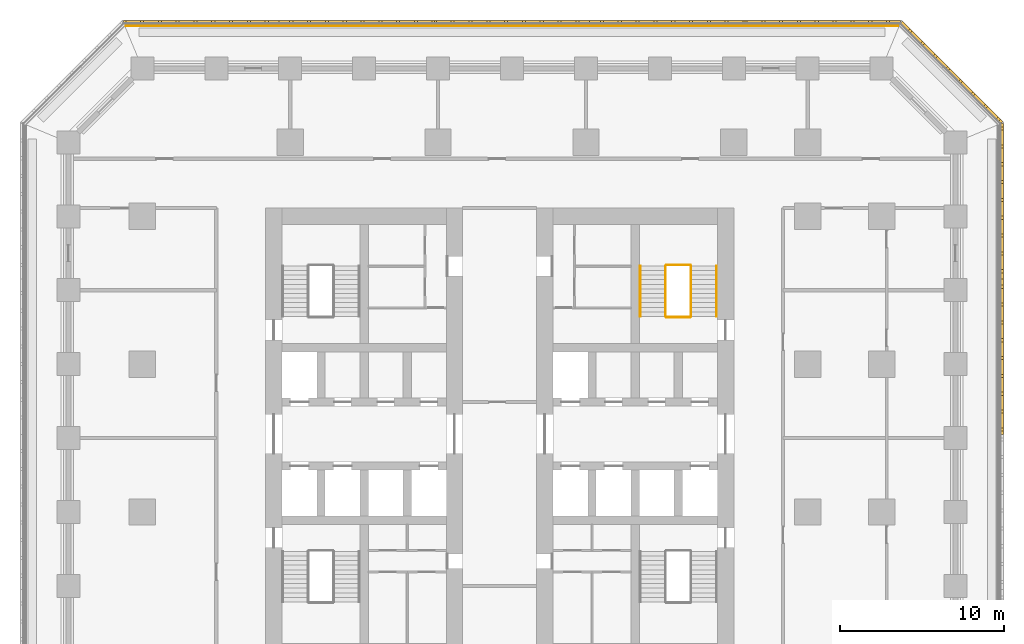
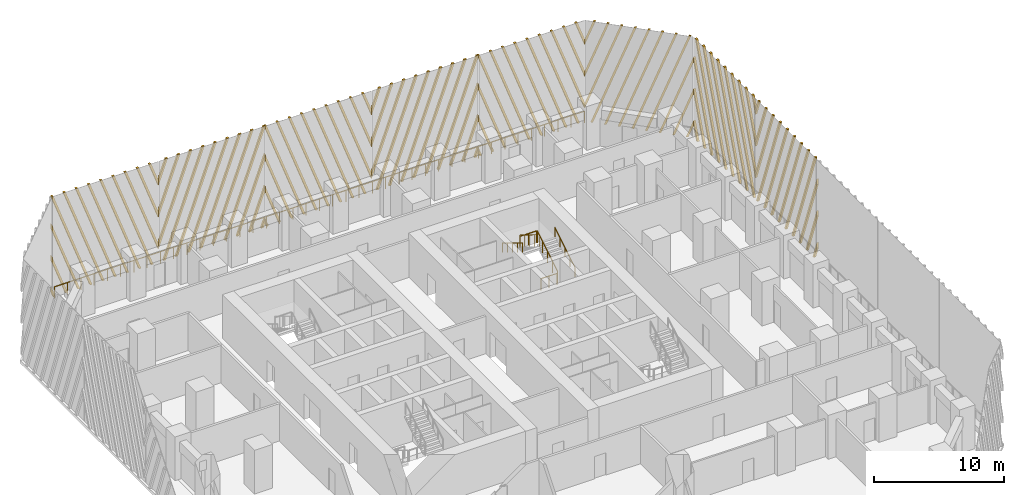
# One storey, part 11 of 13: 8 shading devices, 7 railings.
"""IFC4 building model written with IfcOpenShell, lengths in metres."""

import ifcopenshell
import ifcopenshell.guid

model = None  # the IFC model being written
_history = None  # IfcOwnerHistory: only IFC2X3 demands one
_inside = {}  # id of a spatial element -> (the spatial element, [elements in it])
_under = {}  # id of a project, library or spatial element -> (it, [spatial elements below it])
_declared = {}  # id of a project -> (the project, [libraries it declares])
_typed = {}  # id of a type object -> (the type object, [elements of that type])
_made_of = {}  # id of a material, layer set ... -> (it, [elements and type objects made of it])


def new_model(schema):
    """Start an empty IFC model of exactly this schema.

    Asked for "IFC4X3", IfcOpenShell would pick the latest addendum, in which some entities
    have other attributes; the version numbers below select the first issue.
    IFC2X3 requires an IfcOwnerHistory on every rooted entity: one is made here for all.
    """
    global model, _history
    if schema == "IFC4X3":
        model = ifcopenshell.file(schema_version=(4, 3, 0, 0))
    else:
        model = ifcopenshell.file(schema=schema)
    _inside.clear()
    _under.clear()
    _declared.clear()
    _typed.clear()
    _made_of.clear()
    _history = None
    if model.schema == "IFC2X3":
        org = make("IfcOrganization", Name="unknown")
        user = make(
            "IfcPersonAndOrganization",
            ThePerson=make("IfcPerson", FamilyName="unknown"),
            TheOrganization=org,
        )
        app = make(
            "IfcApplication",
            ApplicationDeveloper=org,
            Version="unknown",
            ApplicationFullName="unknown",
            ApplicationIdentifier="unknown",
        )
        _history = make(
            "IfcOwnerHistory",
            OwningUser=user,
            OwningApplication=app,
            ChangeAction="ADDED",
            CreationDate=0,
        )
    return model


def make(cls, **values):
    """One entity of the class cls with the attributes given. An attribute that is None is left unset."""
    return model.create_entity(
        cls, **{name: value for name, value in values.items() if value is not None}
    )


def rooted(cls, **values):
    """An entity with a GlobalId (a new one), such as an element, a storey or a relation."""
    return make(cls, GlobalId=ifcopenshell.guid.new(), OwnerHistory=_history, **values)


def si_unit(unit_type, name, prefix=None):
    """IfcSIUnit, for example si_unit("LENGTHUNIT", "METRE", prefix="MILLI")."""
    return make("IfcSIUnit", UnitType=unit_type, Prefix=prefix, Name=name)


def assignment(units):
    """IfcUnitAssignment: the units of a project."""
    return None if units is None else make("IfcUnitAssignment", Units=units)


def point(xyz):
    """IfcCartesianPoint."""
    return None if xyz is None else make("IfcCartesianPoint", Coordinates=xyz)


def direction(xyz):
    """IfcDirection."""
    return None if xyz is None else make("IfcDirection", DirectionRatios=xyz)


def frame(location, z_axis=None, x_axis=None):
    """IfcAxis2Placement3D, a coordinate frame: its origin and axes. An axis left out is left unset."""
    return make(
        "IfcAxis2Placement3D",
        Location=point(location),
        Axis=direction(z_axis),
        RefDirection=direction(x_axis),
    )


def frame_2d(location, x_axis=None):
    """IfcAxis2Placement2D, a coordinate frame in the plane: its origin and x axis."""
    return make(
        "IfcAxis2Placement2D", Location=point(location), RefDirection=direction(x_axis)
    )


def origin():
    """The frame at (0, 0, 0) with its axes left unset."""
    return frame((0.0, 0.0, 0.0))


def origin_2d():
    """The frame at (0, 0) in the plane with its x axis left unset."""
    return frame_2d((0.0, 0.0))


def place(relative_to, where):
    """IfcLocalPlacement: puts the frame where relative to a parent placement (None: the world)."""
    return make(
        "IfcLocalPlacement", PlacementRelTo=relative_to, RelativePlacement=where
    )


def context(
    kind, dimensions, precision=None, world=None, true_north=None, identifier=None
):
    """IfcGeometricRepresentationContext, for example the 3D "Model" context."""
    return make(
        "IfcGeometricRepresentationContext",
        ContextIdentifier=identifier,
        ContextType=kind,
        CoordinateSpaceDimension=dimensions,
        Precision=precision,
        WorldCoordinateSystem=world,
        TrueNorth=true_north,
    )


def subcontext(parent, identifier, kind, view, scale=None):
    """IfcGeometricRepresentationSubContext, for example "Body" below "Model"."""
    return make(
        "IfcGeometricRepresentationSubContext",
        ContextIdentifier=identifier,
        ContextType=kind,
        ParentContext=parent,
        TargetScale=scale,
        TargetView=view,
    )


def project(units=None, contexts=None):
    """IfcProject with its units and contexts."""
    return rooted(
        "IfcProject",
        Name="project",
        RepresentationContexts=contexts,
        UnitsInContext=assignment(units),
    )


def spatial(cls, under=None, at=None, **own):
    """A site, building, storey or space (cls), placed at a placement, below another one or the project."""
    s = rooted(cls, ObjectPlacement=at, **own)
    if under is not None:
        _under.setdefault(under.id(), (under, []))[1].append(s)
    return s


def polyline(points):
    """IfcPolyline through the points."""
    return make("IfcPolyline", Points=[point(p) for p in points])


def profile(cls, at=None, kind="AREA", **sizes):
    """A parametric profile (cls). Its sizes go by their IFC names, for example OverallWidth=200.0."""
    return make(cls, ProfileType=kind, Position=at, **sizes)


def circle(**sizes):
    """IfcCircleProfileDef."""
    return profile("IfcCircleProfileDef", **sizes)


def outline(outer, holes=None, kind="AREA"):
    """IfcArbitraryClosedProfileDef: a profile drawn as a closed curve; with holes, ...WithVoids."""
    if holes is None:
        return make("IfcArbitraryClosedProfileDef", ProfileType=kind, OuterCurve=outer)
    return make(
        "IfcArbitraryProfileDefWithVoids",
        ProfileType=kind,
        OuterCurve=outer,
        InnerCurves=holes,
    )


def extrude(swept, where, along, depth):
    """IfcExtrudedAreaSolid: the profile swept, set in the frame where, extruded along a direction by depth."""
    return make(
        "IfcExtrudedAreaSolid",
        SweptArea=swept,
        Position=where,
        ExtrudedDirection=direction(along),
        Depth=depth,
    )


def shape(context_of_items, identifier, shape_type, items):
    """IfcShapeRepresentation: the items that make up one representation, for example the "Body"."""
    return make(
        "IfcShapeRepresentation",
        ContextOfItems=context_of_items,
        RepresentationIdentifier=identifier,
        RepresentationType=shape_type,
        Items=items,
    )


def source(mapping_origin, context_of_items, identifier, shape_type, items):
    """IfcRepresentationMap: a shape defined once, which mapped items show again and again."""
    return make(
        "IfcRepresentationMap",
        MappingOrigin=mapping_origin,
        MappedRepresentation=shape(context_of_items, identifier, shape_type, items),
    )


def transform(
    local_origin,
    x_axis=None,
    y_axis=None,
    z_axis=None,
    scale=None,
    scale2=None,
    scale3=None,
    uniform=True,
):
    """IfcCartesianTransformationOperator3D, or its non-uniform kind. x_axis, y_axis, z_axis: its Axis1, 2, 3."""
    if uniform:
        return make(
            "IfcCartesianTransformationOperator3D",
            Axis1=direction(x_axis),
            Axis2=direction(y_axis),
            LocalOrigin=point(local_origin),
            Scale=scale,
            Axis3=direction(z_axis),
        )
    return make(
        "IfcCartesianTransformationOperator3DnonUniform",
        Axis1=direction(x_axis),
        Axis2=direction(y_axis),
        LocalOrigin=point(local_origin),
        Scale=scale,
        Axis3=direction(z_axis),
        Scale2=scale2,
        Scale3=scale3,
    )


def mapped(mapping_source, mapping_target):
    """IfcMappedItem: shows the shape of a source again, moved by a transform."""
    return make(
        "IfcMappedItem", MappingSource=mapping_source, MappingTarget=mapping_target
    )


def material(Name=None, Category=None):
    """IfcMaterial."""
    return make("IfcMaterial", Name=Name, Category=Category)


def made_of(thing, what):
    """Note that an element or type object is made of a material, layer set ...; save() writes the relation."""
    if what is not None:
        _made_of.setdefault(what.id(), (what, []))[1].append(thing)
    return thing


def type_object(cls, material=None, **own):
    """A type object (cls), such as IfcWallType, which elements share."""
    return made_of(rooted(cls, **own), material)


def element(
    cls,
    number,
    at=None,
    inside=None,
    cuts=None,
    type_object=None,
    material=None,
    context=None,
    identifier="Body",
    shape_type=None,
    held_by="IfcProductDefinitionShape",
    body=None,
    shapes=None,
    **own,
):
    """One element of the class cls, such as IfcWall. Its Tag is "e" and its number.

    at: its placement. inside: the storey or other place that contains it. cuts: it is an
    opening in that element (IfcRelVoidsElement). A single representation is given by context,
    identifier, shape_type and body (its items); several are given by shapes. held_by: the class
    of the entity that holds the representations. save() writes the other relations.
    """
    e = rooted(cls, Tag="e%d" % number, ObjectPlacement=at, **own)
    if body is not None:
        shapes = [shape(context, identifier, shape_type, body)]
    if shapes is not None:
        e.Representation = make(held_by, Representations=shapes)
    if inside is not None:
        _inside.setdefault(inside.id(), (inside, []))[1].append(e)
    if cuts is not None:
        rooted(
            "IfcRelVoidsElement", RelatingBuildingElement=cuts, RelatedOpeningElement=e
        )
    if type_object is not None:
        _typed.setdefault(type_object.id(), (type_object, []))[1].append(e)
    return made_of(e, material)


def aggregate(whole, parts):
    """IfcRelAggregates: a whole, such as a stair, and the parts it consists of."""
    return rooted("IfcRelAggregates", RelatingObject=whole, RelatedObjects=parts)


def save(model, path):
    """Write the relations noted so far, then the file.

    IfcRelAggregates (storeys below a building ...), IfcRelContainedInSpatialStructure (elements
    in a storey), IfcRelDefinesByType, IfcRelAssociatesMaterial and IfcRelDeclares: one each for
    every whole, place, type object, material and project.
    """
    for whole, parts in _under.values():
        aggregate(whole, parts)
    for where, things in _inside.values():
        rooted(
            "IfcRelContainedInSpatialStructure",
            RelatedElements=things,
            RelatingStructure=where,
        )
    for kind, things in _typed.values():
        rooted("IfcRelDefinesByType", RelatedObjects=things, RelatingType=kind)
    for what, things in _made_of.values():
        rooted("IfcRelAssociatesMaterial", RelatedObjects=things, RelatingMaterial=what)
    for by, libraries in _declared.values():
        rooted("IfcRelDeclares", RelatingContext=by, RelatedDefinitions=libraries)
    model.write(path)


model = new_model("IFC4")

# Units and contexts
model_context = context("Model", 3, precision=1e-05, world=origin(), true_north=direction((0.0, 1.0)))
body_context = subcontext(model_context, "Body", "Model", "MODEL_VIEW")
ifc_project = project(units=[si_unit("LENGTHUNIT", "METRE"), si_unit("AREAUNIT", "SQUARE_METRE"), si_unit("VOLUMEUNIT", "CUBIC_METRE"), si_unit("PLANEANGLEUNIT", "RADIAN"), si_unit("MASSUNIT", "GRAM", prefix="KILO")], contexts=[model_context])

# Site, building, storey
site_placement = place(None, origin())
site = spatial("IfcSite", under=ifc_project, at=site_placement, CompositionType="ELEMENT")
building_placement = place(site_placement, origin())
building = spatial("IfcBuilding", under=site, at=building_placement, Name="Corbel Stack Research Tower", CompositionType="ELEMENT")
storey_placement = place(building_placement, frame((0.0, 0.0, 66.5)))
storey = spatial("IfcBuildingStorey", under=building, at=storey_placement, Name="L15", CompositionType="ELEMENT", Elevation=66.5)

# Railings
ifc_material_1 = material(Name="Steel S355", Category="steel")
railing_type_1 = type_object("IfcRailingType", Name="Stair guard 1100", PredefinedType="GUARDRAIL", material=ifc_material_1)
railing_1_placement = place(storey_placement, frame((15.39990234375, 11.89990234375, 0.1708984375)))
element("IfcRailing", 1, at=railing_1_placement, inside=storey, type_object=railing_type_1, Name="L15 ST-E2 stair guard 1", PredefinedType="GUARDRAIL", context=body_context, shape_type="SweptSolid", body=[
    extrude(circle(Radius=0.02392578125, at=origin_2d()), frame((0.0, 0.0, 1.076171875), z_axis=(0.0, 0.853666305674, 0.52082035152), x_axis=(-1.0, 0.0, 0.0)), (0.0, 0.0, 1.0), 3.608154296875),
    extrude(circle(Radius=0.02099609375, at=origin_2d()), origin(), (0.0, 0.0, 1.0), 1.052001953125),
    extrude(circle(Radius=0.02099609375, at=origin_2d()), frame((0.0, 0.77001953125, 0.4697265625)), (0.0, 0.0, 1.0), 1.052001953125),
    extrude(circle(Radius=0.02099609375, at=origin_2d()), frame((0.0, 1.5400390625, 0.939453125)), (0.0, 0.0, 1.0), 1.052001953125),
    extrude(circle(Radius=0.02099609375, at=origin_2d()), frame((0.0, 2.31005859375, 1.409423828125)), (0.0, 0.0, 1.0), 1.052001953125),
    extrude(circle(Radius=0.02099609375, at=origin_2d()), frame((0.0, 3.080078125, 1.879150390625)), (0.0, 0.0, 1.0), 1.052001953125),
])
railing_2_placement = place(storey_placement, frame((15.35009765625, 15.030029296875, 2.050048828125)))
element("IfcRailing", 2, at=railing_2_placement, inside=storey, type_object=railing_type_1, Name="L15 ST-E2 stair guard 2", PredefinedType="GUARDRAIL", context=body_context, shape_type="SweptSolid", body=[
    extrude(circle(Radius=0.02392578125, at=origin_2d()), frame((0.0, 0.0, 1.076171875), z_axis=(-1.0, 0.0, 0.0), x_axis=(0.0, -1.0, 0.0)), (0.0, 0.0, 1.0), 1.4501953125),
    extrude(circle(Radius=0.02099609375, at=origin_2d()), origin(), (0.0, 0.0, 1.0), 1.052001953125),
    extrude(circle(Radius=0.02099609375, at=origin_2d()), frame((-0.72509765625, 0.0, 0.0)), (0.0, 0.0, 1.0), 1.052001953125),
    extrude(circle(Radius=0.02099609375, at=origin_2d()), frame((-1.4501953125, 0.0, 0.0)), (0.0, 0.0, 1.0), 1.052001953125),
])
railing_3_placement = place(storey_placement, frame((13.85009765625, 14.97998046875, 2.220947265625)))
element("IfcRailing", 3, at=railing_3_placement, inside=storey, type_object=railing_type_1, Name="L15 ST-E2 stair guard 3", PredefinedType="GUARDRAIL", context=body_context, shape_type="SweptSolid", body=[
    extrude(circle(Radius=0.02392578125, at=origin_2d()), frame((0.0, 0.0, 1.076171875), z_axis=(0.0, -0.853666305674, 0.52082035152), x_axis=(1.0, 0.0, 0.0)), (0.0, 0.0, 1.0), 3.608154296875),
    extrude(circle(Radius=0.02099609375, at=origin_2d()), origin(), (0.0, 0.0, 1.0), 1.052001953125),
    extrude(circle(Radius=0.02099609375, at=origin_2d()), frame((0.0, -0.77001953125, 0.4697265625)), (0.0, 0.0, 1.0), 1.052001953125),
    extrude(circle(Radius=0.02099609375, at=origin_2d()), frame((0.0, -1.5400390625, 0.939453125)), (0.0, 0.0, 1.0), 1.052001953125),
    extrude(circle(Radius=0.02099609375, at=origin_2d()), frame((0.0, -2.31005859375, 1.409423828125)), (0.0, 0.0, 1.0), 1.052001953125),
    extrude(circle(Radius=0.02099609375, at=origin_2d()), frame((0.0, -3.080078125, 1.879150390625)), (0.0, 0.0, 1.0), 1.052001953125),
])
railing_4_placement = place(storey_placement, frame((15.35009765625, 11.85009765625, 0.0)))
element("IfcRailing", 4, at=railing_4_placement, inside=storey, type_object=railing_type_1, Name="L15 ST-E2 stair guard 4", PredefinedType="GUARDRAIL", context=body_context, shape_type="SweptSolid", body=[
    extrude(circle(Radius=0.02392578125, at=origin_2d()), frame((0.0, 0.0, 1.076171875), z_axis=(-1.0, 0.0, 0.0), x_axis=(0.0, -1.0, 0.0)), (0.0, 0.0, 1.0), 1.4501953125),
    extrude(circle(Radius=0.02099609375, at=origin_2d()), origin(), (0.0, 0.0, 1.0), 1.052001953125),
    extrude(circle(Radius=0.02099609375, at=origin_2d()), frame((-0.72509765625, 0.0, 0.0)), (0.0, 0.0, 1.0), 1.052001953125),
    extrude(circle(Radius=0.02099609375, at=origin_2d()), frame((-1.4501953125, 0.0, 0.0)), (0.0, 0.0, 1.0), 1.052001953125),
])
ifc_material_2 = material(Name="Steel S355", Category="steel")
railing_type_2 = type_object("IfcRailingType", Name="Stair handrail 900", PredefinedType="HANDRAIL", material=ifc_material_2)
railing_5_placement = place(storey_placement, frame((16.949951171875, 11.89990234375, 0.1708984375)))
element("IfcRailing", 5, at=railing_5_placement, inside=storey, type_object=railing_type_2, Name="L15 ST-E2 stair handrail 1", PredefinedType="HANDRAIL", context=body_context, shape_type="SweptSolid", body=[
    extrude(circle(Radius=0.02392578125, at=origin_2d()), frame((0.0, 0.0, 0.8759765625), z_axis=(0.0, 0.853666305674, 0.52082035152), x_axis=(-1.0, 0.0, 0.0)), (0.0, 0.0, 1.0), 3.608154296875),
    extrude(circle(Radius=0.02099609375, at=origin_2d()), origin(), (0.0, 0.0, 1.0), 0.851806640625),
    extrude(circle(Radius=0.02099609375, at=origin_2d()), frame((0.0, 0.77001953125, 0.4697265625)), (0.0, 0.0, 1.0), 0.851806640625),
    extrude(circle(Radius=0.02099609375, at=origin_2d()), frame((0.0, 1.5400390625, 0.939453125)), (0.0, 0.0, 1.0), 0.851806640625),
    extrude(circle(Radius=0.02099609375, at=origin_2d()), frame((0.0, 2.31005859375, 1.409423828125)), (0.0, 0.0, 1.0), 0.851806640625),
    extrude(circle(Radius=0.02099609375, at=origin_2d()), frame((0.0, 3.080078125, 1.879150390625)), (0.0, 0.0, 1.0), 0.851806640625),
])
railing_6_placement = place(storey_placement, frame((12.300048828125, 14.97998046875, 2.220947265625)))
element("IfcRailing", 6, at=railing_6_placement, inside=storey, type_object=railing_type_2, Name="L15 ST-E2 stair handrail 2", PredefinedType="HANDRAIL", context=body_context, shape_type="SweptSolid", body=[
    extrude(circle(Radius=0.02392578125, at=origin_2d()), frame((0.0, 0.0, 0.8759765625), z_axis=(0.0, -0.853666305674, 0.52082035152), x_axis=(1.0, 0.0, 0.0)), (0.0, 0.0, 1.0), 3.608154296875),
    extrude(circle(Radius=0.02099609375, at=origin_2d()), origin(), (0.0, 0.0, 1.0), 0.851806640625),
    extrude(circle(Radius=0.02099609375, at=origin_2d()), frame((0.0, -0.77001953125, 0.4697265625)), (0.0, 0.0, 1.0), 0.851806640625),
    extrude(circle(Radius=0.02099609375, at=origin_2d()), frame((0.0, -1.5400390625, 0.939453125)), (0.0, 0.0, 1.0), 0.851806640625),
    extrude(circle(Radius=0.02099609375, at=origin_2d()), frame((0.0, -2.31005859375, 1.409423828125)), (0.0, 0.0, 1.0), 0.851806640625),
    extrude(circle(Radius=0.02099609375, at=origin_2d()), frame((0.0, -3.080078125, 1.879150390625)), (0.0, 0.0, 1.0), 0.851806640625),
])
ifc_material_3 = material(Name="Powder-coated steel guard", Category="steel")
railing_type_3 = type_object("IfcRailingType", Name="Steel and glass guard 1100", PredefinedType="GUARDRAIL", material=ifc_material_3)
railing_7_placement = place(storey_placement, frame((28.00537109375, 29.60009765625, 0.0)))
element("IfcRailing", 7, at=railing_7_placement, inside=storey, type_object=railing_type_3, Name="Loggia guard L15 N", PredefinedType="GUARDRAIL", context=body_context, shape_type="SweptSolid", body=[
    extrude(circle(Radius=0.02392578125, at=origin_2d()), frame((0.0, 0.0, 1.076171875), z_axis=(-1.0, 0.0, 0.0), x_axis=(0.0, -1.0, 0.0)), (0.0, 0.0, 1.0), 47.0107421875),
    extrude(circle(Radius=0.02099609375, at=origin_2d()), origin(), (0.0, 0.0, 1.0), 1.052001953125),
    extrude(circle(Radius=0.02099609375, at=origin_2d()), frame((-1.17529296875, 0.0, 0.0)), (0.0, 0.0, 1.0), 1.052001953125),
    extrude(circle(Radius=0.02099609375, at=origin_2d()), frame((-2.3505859375, 0.0, 0.0)), (0.0, 0.0, 1.0), 1.052001953125),
    extrude(circle(Radius=0.02099609375, at=origin_2d()), frame((-3.52587890625, 0.0, 0.0)), (0.0, 0.0, 1.0), 1.052001953125),
    extrude(circle(Radius=0.02099609375, at=origin_2d()), frame((-4.701171875, 0.0, 0.0)), (0.0, 0.0, 1.0), 1.052001953125),
    extrude(circle(Radius=0.02099609375, at=origin_2d()), frame((-5.87646484375, 0.0, 0.0)), (0.0, 0.0, 1.0), 1.052001953125),
    extrude(circle(Radius=0.02099609375, at=origin_2d()), frame((-7.051513671875, 0.0, 0.0)), (0.0, 0.0, 1.0), 1.052001953125),
    extrude(circle(Radius=0.02099609375, at=origin_2d()), frame((-8.226806640625, 0.0, 0.0)), (0.0, 0.0, 1.0), 1.052001953125),
    extrude(circle(Radius=0.02099609375, at=origin_2d()), frame((-9.402099609375, 0.0, 0.0)), (0.0, 0.0, 1.0), 1.052001953125),
    extrude(circle(Radius=0.02099609375, at=origin_2d()), frame((-10.577392578125, 0.0, 0.0)), (0.0, 0.0, 1.0), 1.052001953125),
    extrude(circle(Radius=0.02099609375, at=origin_2d()), frame((-11.752685546875, 0.0, 0.0)), (0.0, 0.0, 1.0), 1.052001953125),
    extrude(circle(Radius=0.02099609375, at=origin_2d()), frame((-12.927978515625, 0.0, 0.0)), (0.0, 0.0, 1.0), 1.052001953125),
    extrude(circle(Radius=0.02099609375, at=origin_2d()), frame((-14.103271484375, 0.0, 0.0)), (0.0, 0.0, 1.0), 1.052001953125),
    extrude(circle(Radius=0.02099609375, at=origin_2d()), frame((-15.278564453125, 0.0, 0.0)), (0.0, 0.0, 1.0), 1.052001953125),
    extrude(circle(Radius=0.02099609375, at=origin_2d()), frame((-16.453857421875, 0.0, 0.0)), (0.0, 0.0, 1.0), 1.052001953125),
    extrude(circle(Radius=0.02099609375, at=origin_2d()), frame((-17.62890625, 0.0, 0.0)), (0.0, 0.0, 1.0), 1.052001953125),
    extrude(circle(Radius=0.02099609375, at=origin_2d()), frame((-18.80419921875, 0.0, 0.0)), (0.0, 0.0, 1.0), 1.052001953125),
    extrude(circle(Radius=0.02099609375, at=origin_2d()), frame((-19.9794921875, 0.0, 0.0)), (0.0, 0.0, 1.0), 1.052001953125),
    extrude(circle(Radius=0.02099609375, at=origin_2d()), frame((-21.15478515625, 0.0, 0.0)), (0.0, 0.0, 1.0), 1.052001953125),
    extrude(circle(Radius=0.02099609375, at=origin_2d()), frame((-22.330078125, 0.0, 0.0)), (0.0, 0.0, 1.0), 1.052001953125),
    extrude(circle(Radius=0.02099609375, at=origin_2d()), frame((-23.50537109375, 0.0, 0.0)), (0.0, 0.0, 1.0), 1.052001953125),
    extrude(circle(Radius=0.02099609375, at=origin_2d()), frame((-24.6806640625, 0.0, 0.0)), (0.0, 0.0, 1.0), 1.052001953125),
    extrude(circle(Radius=0.02099609375, at=origin_2d()), frame((-25.85595703125, 0.0, 0.0)), (0.0, 0.0, 1.0), 1.052001953125),
    extrude(circle(Radius=0.02099609375, at=origin_2d()), frame((-27.03125, 0.0, 0.0)), (0.0, 0.0, 1.0), 1.052001953125),
    extrude(circle(Radius=0.02099609375, at=origin_2d()), frame((-28.20654296875, 0.0, 0.0)), (0.0, 0.0, 1.0), 1.052001953125),
    extrude(circle(Radius=0.02099609375, at=origin_2d()), frame((-29.3818359375, 0.0, 0.0)), (0.0, 0.0, 1.0), 1.052001953125),
    extrude(circle(Radius=0.02099609375, at=origin_2d()), frame((-30.556884765625, 0.0, 0.0)), (0.0, 0.0, 1.0), 1.052001953125),
    extrude(circle(Radius=0.02099609375, at=origin_2d()), frame((-31.732177734375, 0.0, 0.0)), (0.0, 0.0, 1.0), 1.052001953125),
    extrude(circle(Radius=0.02099609375, at=origin_2d()), frame((-32.907470703125, 0.0, 0.0)), (0.0, 0.0, 1.0), 1.052001953125),
    extrude(circle(Radius=0.02099609375, at=origin_2d()), frame((-34.082763671875, 0.0, 0.0)), (0.0, 0.0, 1.0), 1.052001953125),
    extrude(circle(Radius=0.02099609375, at=origin_2d()), frame((-35.258056640625, 0.0, 0.0)), (0.0, 0.0, 1.0), 1.052001953125),
    extrude(circle(Radius=0.02099609375, at=origin_2d()), frame((-36.433349609375, 0.0, 0.0)), (0.0, 0.0, 1.0), 1.052001953125),
    extrude(circle(Radius=0.02099609375, at=origin_2d()), frame((-37.608642578125, 0.0, 0.0)), (0.0, 0.0, 1.0), 1.052001953125),
    extrude(circle(Radius=0.02099609375, at=origin_2d()), frame((-38.783935546875, 0.0, 0.0)), (0.0, 0.0, 1.0), 1.052001953125),
    extrude(circle(Radius=0.02099609375, at=origin_2d()), frame((-39.959228515625, 0.0, 0.0)), (0.0, 0.0, 1.0), 1.052001953125),
    extrude(circle(Radius=0.02099609375, at=origin_2d()), frame((-41.13427734375, 0.0, 0.0)), (0.0, 0.0, 1.0), 1.052001953125),
    extrude(circle(Radius=0.02099609375, at=origin_2d()), frame((-42.3095703125, 0.0, 0.0)), (0.0, 0.0, 1.0), 1.052001953125),
    extrude(circle(Radius=0.02099609375, at=origin_2d()), frame((-43.48486328125, 0.0, 0.0)), (0.0, 0.0, 1.0), 1.052001953125),
    extrude(circle(Radius=0.02099609375, at=origin_2d()), frame((-44.66015625, 0.0, 0.0)), (0.0, 0.0, 1.0), 1.052001953125),
    extrude(circle(Radius=0.02099609375, at=origin_2d()), frame((-45.83544921875, 0.0, 0.0)), (0.0, 0.0, 1.0), 1.052001953125),
    extrude(circle(Radius=0.02099609375, at=origin_2d()), frame((-47.0107421875, 0.0, 0.0)), (0.0, 0.0, 1.0), 1.052001953125),
])

# Shading devices
ifc_material_4 = material(Name="Precast terracotta", Category="masonry")
shading_device_type = type_object("IfcShadingDeviceType", Name="Terracotta screen panel", PredefinedType="USERDEFINED", material=ifc_material_4)
shared_shape_1 = source(origin(), body_context, "Body", "SweptSolid", [
    extrude(outline(polyline([(0.56982421875, 9.5), (0.3798828125, 9.5), (0.0, 8.456298828125), (0.0, 7.93408203125), (0.56982421875, 9.5)])), frame((0.0, 0.0, 0.0), z_axis=(0.0, -1.0, 0.0), x_axis=(1.0, 0.0, 0.0)), (0.0, 0.0, 1.0), 0.179931640625),
    extrude(outline(polyline([(1.654541015625, 9.5), (1.464599609375, 9.5), (0.0, 5.476318359375), (0.0, 4.9541015625), (1.654541015625, 9.5)])), frame((0.0, 0.0, 0.0), z_axis=(0.0, -1.0, 0.0), x_axis=(1.0, 0.0, 0.0)), (0.0, 0.0, 1.0), 0.179931640625),
    extrude(outline(polyline([(2.7392578125, 9.5), (2.54931640625, 9.5), (0.0, 2.49609375), (0.0, 1.97412109375), (2.7392578125, 9.5)])), frame((0.0, 0.0, 0.0), z_axis=(0.0, -1.0, 0.0), x_axis=(1.0, 0.0, 0.0)), (0.0, 0.0, 1.0), 0.179931640625),
    extrude(outline(polyline([(0.3662109375, 0.0), (3.823974609375, 9.5), (3.6337890625, 9.5), (0.17626953125, 0.0), (0.3662109375, 0.0)])), frame((0.0, 0.0, 0.0), z_axis=(0.0, -1.0, 0.0), x_axis=(1.0, 0.0, 0.0)), (0.0, 0.0, 1.0), 0.179931640625),
    extrude(outline(polyline([(1.45068359375, 0.0), (4.908447265625, 9.5), (4.718505859375, 9.5), (1.2607421875, 0.0), (1.45068359375, 0.0)])), frame((0.0, 0.0, 0.0), z_axis=(0.0, -1.0, 0.0), x_axis=(1.0, 0.0, 0.0)), (0.0, 0.0, 1.0), 0.179931640625),
    extrude(outline(polyline([(2.535400390625, 0.0), (5.9931640625, 9.5), (5.80322265625, 9.5), (2.345458984375, 0.0), (2.535400390625, 0.0)])), frame((0.0, 0.0, 0.0), z_axis=(0.0, -1.0, 0.0), x_axis=(1.0, 0.0, 0.0)), (0.0, 0.0, 1.0), 0.179931640625),
    extrude(outline(polyline([(3.6201171875, 0.0), (7.077880859375, 9.5), (6.887939453125, 9.5), (3.43017578125, 0.0), (3.6201171875, 0.0)])), frame((0.0, 0.0, 0.0), z_axis=(0.0, -1.0, 0.0), x_axis=(1.0, 0.0, 0.0)), (0.0, 0.0, 1.0), 0.179931640625),
    extrude(outline(polyline([(4.704833984375, 0.0), (8.16259765625, 9.5), (7.972412109375, 9.5), (4.514892578125, 0.0), (4.704833984375, 0.0)])), frame((0.0, 0.0, 0.0), z_axis=(0.0, -1.0, 0.0), x_axis=(1.0, 0.0, 0.0)), (0.0, 0.0, 1.0), 0.179931640625),
    extrude(outline(polyline([(5.78955078125, 0.0), (9.247314453125, 9.5), (9.05712890625, 9.5), (5.599609375, 0.0), (5.78955078125, 0.0)])), frame((0.0, 0.0, 0.0), z_axis=(0.0, -1.0, 0.0), x_axis=(1.0, 0.0, 0.0)), (0.0, 0.0, 1.0), 0.179931640625),
    extrude(outline(polyline([(6.874267578125, 0.0), (9.45556640625, 7.092529296875), (9.45556640625, 7.614501953125), (6.68408203125, 0.0), (6.874267578125, 0.0)])), frame((0.0, 0.0, 0.0), z_axis=(0.0, -1.0, 0.0), x_axis=(1.0, 0.0, 0.0)), (0.0, 0.0, 1.0), 0.179931640625),
    extrude(outline(polyline([(7.958740234375, 0.0), (9.45556640625, 4.1123046875), (9.45556640625, 4.634521484375), (7.768798828125, 0.0), (7.958740234375, 0.0)])), frame((0.0, 0.0, 0.0), z_axis=(0.0, -1.0, 0.0), x_axis=(1.0, 0.0, 0.0)), (0.0, 0.0, 1.0), 0.179931640625),
    extrude(outline(polyline([(9.04345703125, 0.0), (9.45556640625, 1.13232421875), (9.45556640625, 1.654296875), (8.853515625, 0.0), (9.04345703125, 0.0)])), frame((0.0, 0.0, 0.0), z_axis=(0.0, -1.0, 0.0), x_axis=(1.0, 0.0, 0.0)), (0.0, 0.0, 1.0), 0.179931640625),
])
shading_device_1_placement = place(storey_placement, frame((34.25, 14.18359375, 0.0), z_axis=(0.0, 0.0, 1.0), x_axis=(0.0, 1.0, 0.0)))
element("IfcShadingDevice", 8, at=shading_device_1_placement, inside=storey, type_object=shading_device_type, Name="Terracotta screen L15 E5", ObjectType="SCREEN", PredefinedType="USERDEFINED", context=body_context, shape_type="MappedRepresentation", body=[
    mapped(shared_shape_1, transform((0.0, 0.0, 0.0))),
])
shared_shape_2 = source(origin(), body_context, "Body", "SweptSolid", [
    extrude(outline(polyline([(0.60205078125, 0.0), (0.0, 1.654296875), (0.0, 1.13232421875), (0.412109375, 0.0), (0.60205078125, 0.0)])), frame((0.0, 0.0, 0.0), z_axis=(0.0, -1.0, 0.0), x_axis=(1.0, 0.0, 0.0)), (0.0, 0.0, 1.0), 0.179931640625),
    extrude(outline(polyline([(1.686767578125, 0.0), (0.0, 4.634521484375), (0.0, 4.1123046875), (1.496826171875, 0.0), (1.686767578125, 0.0)])), frame((0.0, 0.0, 0.0), z_axis=(0.0, -1.0, 0.0), x_axis=(1.0, 0.0, 0.0)), (0.0, 0.0, 1.0), 0.179931640625),
    extrude(outline(polyline([(2.771484375, 0.0), (0.0, 7.614501953125), (0.0, 7.092529296875), (2.58154296875, 0.0), (2.771484375, 0.0)])), frame((0.0, 0.0, 0.0), z_axis=(0.0, -1.0, 0.0), x_axis=(1.0, 0.0, 0.0)), (0.0, 0.0, 1.0), 0.179931640625),
    extrude(outline(polyline([(3.856201171875, 0.0), (0.3984375, 9.5), (0.20849609375, 9.5), (3.666015625, 0.0), (3.856201171875, 0.0)])), frame((0.0, 0.0, 0.0), z_axis=(0.0, -1.0, 0.0), x_axis=(1.0, 0.0, 0.0)), (0.0, 0.0, 1.0), 0.179931640625),
    extrude(outline(polyline([(4.94091796875, 0.0), (1.483154296875, 9.5), (1.293212890625, 9.5), (4.750732421875, 0.0), (4.94091796875, 0.0)])), frame((0.0, 0.0, 0.0), z_axis=(0.0, -1.0, 0.0), x_axis=(1.0, 0.0, 0.0)), (0.0, 0.0, 1.0), 0.179931640625),
    extrude(outline(polyline([(6.025390625, 0.0), (2.56787109375, 9.5), (2.377685546875, 9.5), (5.83544921875, 0.0), (6.025390625, 0.0)])), frame((0.0, 0.0, 0.0), z_axis=(0.0, -1.0, 0.0), x_axis=(1.0, 0.0, 0.0)), (0.0, 0.0, 1.0), 0.179931640625),
    extrude(outline(polyline([(7.110107421875, 0.0), (3.65234375, 9.5), (3.46240234375, 9.5), (6.920166015625, 0.0), (7.110107421875, 0.0)])), frame((0.0, 0.0, 0.0), z_axis=(0.0, -1.0, 0.0), x_axis=(1.0, 0.0, 0.0)), (0.0, 0.0, 1.0), 0.179931640625),
    extrude(outline(polyline([(8.19482421875, 0.0), (4.737060546875, 9.5), (4.547119140625, 9.5), (8.0048828125, 0.0), (8.19482421875, 0.0)])), frame((0.0, 0.0, 0.0), z_axis=(0.0, -1.0, 0.0), x_axis=(1.0, 0.0, 0.0)), (0.0, 0.0, 1.0), 0.179931640625),
    extrude(outline(polyline([(9.279541015625, 0.0), (5.82177734375, 9.5), (5.6318359375, 9.5), (9.089599609375, 0.0), (9.279541015625, 0.0)])), frame((0.0, 0.0, 0.0), z_axis=(0.0, -1.0, 0.0), x_axis=(1.0, 0.0, 0.0)), (0.0, 0.0, 1.0), 0.179931640625),
    extrude(outline(polyline([(6.906494140625, 9.5), (6.71630859375, 9.5), (9.45556640625, 1.97412109375), (9.45556640625, 2.49609375), (6.906494140625, 9.5)])), frame((0.0, 0.0, 0.0), z_axis=(0.0, -1.0, 0.0), x_axis=(1.0, 0.0, 0.0)), (0.0, 0.0, 1.0), 0.179931640625),
    extrude(outline(polyline([(7.9912109375, 9.5), (7.801025390625, 9.5), (9.45556640625, 4.9541015625), (9.45556640625, 5.476318359375), (7.9912109375, 9.5)])), frame((0.0, 0.0, 0.0), z_axis=(0.0, -1.0, 0.0), x_axis=(1.0, 0.0, 0.0)), (0.0, 0.0, 1.0), 0.179931640625),
    extrude(outline(polyline([(9.07568359375, 9.5), (8.8857421875, 9.5), (9.45556640625, 7.93408203125), (9.45556640625, 8.456298828125), (9.07568359375, 9.5)])), frame((0.0, 0.0, 0.0), z_axis=(0.0, -1.0, 0.0), x_axis=(1.0, 0.0, 0.0)), (0.0, 0.0, 1.0), 0.179931640625),
])
shading_device_2_placement = place(storey_placement, frame((34.25, 4.727783203125, 0.0), z_axis=(0.0, 0.0, 1.0), x_axis=(0.0, 1.0, 0.0)))
element("IfcShadingDevice", 9, at=shading_device_2_placement, inside=storey, type_object=shading_device_type, Name="Terracotta screen L15 E4", ObjectType="SCREEN", PredefinedType="USERDEFINED", context=body_context, shape_type="MappedRepresentation", body=[
    mapped(shared_shape_2, transform((0.0, 0.0, 0.0))),
])
shared_shape_3 = source(origin(), body_context, "Body", "SweptSolid", [
    extrude(outline(polyline([(0.60205078125, 0.0), (0.0, 1.654296875), (0.0, 1.13232421875), (0.412109375, 0.0), (0.60205078125, 0.0)])), frame((0.0, 0.0, 0.0), z_axis=(0.0, -1.0, 0.0), x_axis=(1.0, 0.0, 0.0)), (0.0, 0.0, 1.0), 0.179931640625),
    extrude(outline(polyline([(1.686767578125, 0.0), (0.0, 4.634521484375), (0.0, 4.1123046875), (1.496826171875, 0.0), (1.686767578125, 0.0)])), frame((0.0, 0.0, 0.0), z_axis=(0.0, -1.0, 0.0), x_axis=(1.0, 0.0, 0.0)), (0.0, 0.0, 1.0), 0.179931640625),
    extrude(outline(polyline([(2.771484375, 0.0), (0.0, 7.614501953125), (0.0, 7.092529296875), (2.58154296875, 0.0), (2.771484375, 0.0)])), frame((0.0, 0.0, 0.0), z_axis=(0.0, -1.0, 0.0), x_axis=(1.0, 0.0, 0.0)), (0.0, 0.0, 1.0), 0.179931640625),
    extrude(outline(polyline([(3.856201171875, 0.0), (0.3984375, 9.5), (0.20849609375, 9.5), (3.666015625, 0.0), (3.856201171875, 0.0)])), frame((0.0, 0.0, 0.0), z_axis=(0.0, -1.0, 0.0), x_axis=(1.0, 0.0, 0.0)), (0.0, 0.0, 1.0), 0.179931640625),
    extrude(outline(polyline([(4.94091796875, 0.0), (1.483154296875, 9.5), (1.293212890625, 9.5), (4.750732421875, 0.0), (4.94091796875, 0.0)])), frame((0.0, 0.0, 0.0), z_axis=(0.0, -1.0, 0.0), x_axis=(1.0, 0.0, 0.0)), (0.0, 0.0, 1.0), 0.179931640625),
    extrude(outline(polyline([(6.025390625, 0.0), (2.56787109375, 9.5), (2.377685546875, 9.5), (5.83544921875, 0.0), (6.025390625, 0.0)])), frame((0.0, 0.0, 0.0), z_axis=(0.0, -1.0, 0.0), x_axis=(1.0, 0.0, 0.0)), (0.0, 0.0, 1.0), 0.179931640625),
    extrude(outline(polyline([(7.110107421875, 0.0), (3.65234375, 9.5), (3.46240234375, 9.5), (6.920166015625, 0.0), (7.110107421875, 0.0)])), frame((0.0, 0.0, 0.0), z_axis=(0.0, -1.0, 0.0), x_axis=(1.0, 0.0, 0.0)), (0.0, 0.0, 1.0), 0.179931640625),
    extrude(outline(polyline([(8.19482421875, 0.0), (4.737060546875, 9.5), (4.547119140625, 9.5), (8.0048828125, 0.0), (8.19482421875, 0.0)])), frame((0.0, 0.0, 0.0), z_axis=(0.0, -1.0, 0.0), x_axis=(1.0, 0.0, 0.0)), (0.0, 0.0, 1.0), 0.179931640625),
    extrude(outline(polyline([(5.82177734375, 9.5), (5.6318359375, 9.5), (8.64208984375, 1.22900390625), (8.64208984375, 1.751220703125), (5.82177734375, 9.5)])), frame((0.0, 0.0, 0.0), z_axis=(0.0, -1.0, 0.0), x_axis=(1.0, 0.0, 0.0)), (0.0, 0.0, 1.0), 0.179931640625),
    extrude(outline(polyline([(6.906494140625, 9.5), (6.71630859375, 9.5), (8.64208984375, 4.208984375), (8.64208984375, 4.731201171875), (6.906494140625, 9.5)])), frame((0.0, 0.0, 0.0), z_axis=(0.0, -1.0, 0.0), x_axis=(1.0, 0.0, 0.0)), (0.0, 0.0, 1.0), 0.179931640625),
    extrude(outline(polyline([(7.9912109375, 9.5), (7.801025390625, 9.5), (8.64208984375, 7.189208984375), (8.64208984375, 7.711181640625), (7.9912109375, 9.5)])), frame((0.0, 0.0, 0.0), z_axis=(0.0, -1.0, 0.0), x_axis=(1.0, 0.0, 0.0)), (0.0, 0.0, 1.0), 0.179931640625),
])
shading_device_3_placement = place(storey_placement, frame((34.25, 23.63916015625, 0.0), z_axis=(0.0, 0.0, 1.0), x_axis=(-0.707106781187, 0.707106781187, 0.0)))
element("IfcShadingDevice", 10, at=shading_device_3_placement, inside=storey, type_object=shading_device_type, Name="Terracotta screen L15 NE1", ObjectType="SCREEN", PredefinedType="USERDEFINED", context=body_context, shape_type="MappedRepresentation", body=[
    mapped(shared_shape_3, transform((0.0, 0.0, 0.0))),
])
shared_shape_4 = source(origin(), body_context, "Body", "SweptSolid", [
    extrude(outline(polyline([(0.841064453125, 9.5), (0.651123046875, 9.5), (0.0, 7.711181640625), (0.0, 7.189208984375), (0.841064453125, 9.5)])), frame((0.0, 0.0, 0.0), z_axis=(0.0, -1.0, 0.0), x_axis=(1.0, 0.0, 0.0)), (0.0, 0.0, 1.0), 0.179931640625),
    extrude(outline(polyline([(1.92578125, 9.5), (1.735595703125, 9.5), (0.0, 4.731201171875), (0.0, 4.208984375), (1.92578125, 9.5)])), frame((0.0, 0.0, 0.0), z_axis=(0.0, -1.0, 0.0), x_axis=(1.0, 0.0, 0.0)), (0.0, 0.0, 1.0), 0.179931640625),
    extrude(outline(polyline([(3.010498046875, 9.5), (2.8203125, 9.5), (0.0, 1.751220703125), (0.0, 1.22900390625), (3.010498046875, 9.5)])), frame((0.0, 0.0, 0.0), z_axis=(0.0, -1.0, 0.0), x_axis=(1.0, 0.0, 0.0)), (0.0, 0.0, 1.0), 0.179931640625),
    extrude(outline(polyline([(0.63720703125, 0.0), (4.09521484375, 9.5), (3.905029296875, 9.5), (0.447265625, 0.0), (0.63720703125, 0.0)])), frame((0.0, 0.0, 0.0), z_axis=(0.0, -1.0, 0.0), x_axis=(1.0, 0.0, 0.0)), (0.0, 0.0, 1.0), 0.179931640625),
    extrude(outline(polyline([(1.721923828125, 0.0), (5.1796875, 9.5), (4.98974609375, 9.5), (1.531982421875, 0.0), (1.721923828125, 0.0)])), frame((0.0, 0.0, 0.0), z_axis=(0.0, -1.0, 0.0), x_axis=(1.0, 0.0, 0.0)), (0.0, 0.0, 1.0), 0.179931640625),
    extrude(outline(polyline([(2.806640625, 0.0), (6.264404296875, 9.5), (6.074462890625, 9.5), (2.61669921875, 0.0), (2.806640625, 0.0)])), frame((0.0, 0.0, 0.0), z_axis=(0.0, -1.0, 0.0), x_axis=(1.0, 0.0, 0.0)), (0.0, 0.0, 1.0), 0.179931640625),
    extrude(outline(polyline([(3.891357421875, 0.0), (7.34912109375, 9.5), (7.158935546875, 9.5), (3.701416015625, 0.0), (3.891357421875, 0.0)])), frame((0.0, 0.0, 0.0), z_axis=(0.0, -1.0, 0.0), x_axis=(1.0, 0.0, 0.0)), (0.0, 0.0, 1.0), 0.179931640625),
    extrude(outline(polyline([(4.97607421875, 0.0), (8.43359375, 9.5), (8.24365234375, 9.5), (4.785888671875, 0.0), (4.97607421875, 0.0)])), frame((0.0, 0.0, 0.0), z_axis=(0.0, -1.0, 0.0), x_axis=(1.0, 0.0, 0.0)), (0.0, 0.0, 1.0), 0.179931640625),
    extrude(outline(polyline([(6.060791015625, 0.0), (9.45556640625, 9.32763671875), (9.45556640625, 9.5), (9.328369140625, 9.5), (5.87060546875, 0.0), (6.060791015625, 0.0)])), frame((0.0, 0.0, 0.0), z_axis=(0.0, -1.0, 0.0), x_axis=(1.0, 0.0, 0.0)), (0.0, 0.0, 1.0), 0.179931640625),
    extrude(outline(polyline([(7.145263671875, 0.0), (9.45556640625, 6.347412109375), (9.45556640625, 6.869384765625), (6.955322265625, 0.0), (7.145263671875, 0.0)])), frame((0.0, 0.0, 0.0), z_axis=(0.0, -1.0, 0.0), x_axis=(1.0, 0.0, 0.0)), (0.0, 0.0, 1.0), 0.179931640625),
    extrude(outline(polyline([(8.22998046875, 0.0), (9.45556640625, 3.367431640625), (9.45556640625, 3.889404296875), (8.0400390625, 0.0), (8.22998046875, 0.0)])), frame((0.0, 0.0, 0.0), z_axis=(0.0, -1.0, 0.0), x_axis=(1.0, 0.0, 0.0)), (0.0, 0.0, 1.0), 0.179931640625),
    extrude(outline(polyline([(9.314697265625, 0.0), (9.45556640625, 0.38720703125), (9.45556640625, 0.9091796875), (9.124755859375, 0.0), (9.314697265625, 0.0)])), frame((0.0, 0.0, 0.0), z_axis=(0.0, -1.0, 0.0), x_axis=(1.0, 0.0, 0.0)), (0.0, 0.0, 1.0), 0.179931640625),
])
for number, where, z_axis, x_axis, name in (
    (11, (28.13916015625, 29.75, 0.0), (0.0, 0.0, 1.0), (-1.0, 0.0, 0.0), "Terracotta screen L15 N1"),
    (12, (9.227783203125, 29.75, 0.0), (0.0, 0.0, 1.0), (-1.0, 0.0, 0.0), "Terracotta screen L15 N3"),
    (13, (-9.68359375, 29.75, 0.0), (0.0, 0.0, 1.0), (-1.0, 0.0, 0.0), "Terracotta screen L15 N5"),
):
    element("IfcShadingDevice", number, at=place(storey_placement, frame(where, z_axis=z_axis, x_axis=x_axis)), inside=storey, type_object=shading_device_type, Name=name, ObjectType="SCREEN", PredefinedType="USERDEFINED", context=body_context, shape_type="MappedRepresentation", body=[
        mapped(shared_shape_4, transform((0.0, 0.0, 0.0))),
    ])
shared_shape_5 = source(origin(), body_context, "Body", "SweptSolid", [
    extrude(outline(polyline([(0.3310546875, 0.0), (0.0, 0.9091796875), (0.0, 0.38720703125), (0.14111328125, 0.0), (0.3310546875, 0.0)])), frame((0.0, 0.0, 0.0), z_axis=(0.0, -1.0, 0.0), x_axis=(1.0, 0.0, 0.0)), (0.0, 0.0, 1.0), 0.179931640625),
    extrude(outline(polyline([(1.41552734375, 0.0), (0.0, 3.889404296875), (0.0, 3.367431640625), (1.2255859375, 0.0), (1.41552734375, 0.0)])), frame((0.0, 0.0, 0.0), z_axis=(0.0, -1.0, 0.0), x_axis=(1.0, 0.0, 0.0)), (0.0, 0.0, 1.0), 0.179931640625),
    extrude(outline(polyline([(2.500244140625, 0.0), (0.0, 6.869384765625), (0.0, 6.347412109375), (2.310302734375, 0.0), (2.500244140625, 0.0)])), frame((0.0, 0.0, 0.0), z_axis=(0.0, -1.0, 0.0), x_axis=(1.0, 0.0, 0.0)), (0.0, 0.0, 1.0), 0.179931640625),
    extrude(outline(polyline([(3.5849609375, 0.0), (0.127197265625, 9.5), (0.0, 9.5), (0.0, 9.32763671875), (3.39501953125, 0.0), (3.5849609375, 0.0)])), frame((0.0, 0.0, 0.0), z_axis=(0.0, -1.0, 0.0), x_axis=(1.0, 0.0, 0.0)), (0.0, 0.0, 1.0), 0.179931640625),
    extrude(outline(polyline([(4.669677734375, 0.0), (1.2119140625, 9.5), (1.02197265625, 9.5), (4.4794921875, 0.0), (4.669677734375, 0.0)])), frame((0.0, 0.0, 0.0), z_axis=(0.0, -1.0, 0.0), x_axis=(1.0, 0.0, 0.0)), (0.0, 0.0, 1.0), 0.179931640625),
    extrude(outline(polyline([(5.75439453125, 0.0), (2.296630859375, 9.5), (2.106689453125, 9.5), (5.564208984375, 0.0), (5.75439453125, 0.0)])), frame((0.0, 0.0, 0.0), z_axis=(0.0, -1.0, 0.0), x_axis=(1.0, 0.0, 0.0)), (0.0, 0.0, 1.0), 0.179931640625),
    extrude(outline(polyline([(6.839111328125, 0.0), (3.38134765625, 9.5), (3.19140625, 9.5), (6.64892578125, 0.0), (6.839111328125, 0.0)])), frame((0.0, 0.0, 0.0), z_axis=(0.0, -1.0, 0.0), x_axis=(1.0, 0.0, 0.0)), (0.0, 0.0, 1.0), 0.179931640625),
    extrude(outline(polyline([(7.923583984375, 0.0), (4.4658203125, 9.5), (4.27587890625, 9.5), (7.733642578125, 0.0), (7.923583984375, 0.0)])), frame((0.0, 0.0, 0.0), z_axis=(0.0, -1.0, 0.0), x_axis=(1.0, 0.0, 0.0)), (0.0, 0.0, 1.0), 0.179931640625),
    extrude(outline(polyline([(9.00830078125, 0.0), (5.550537109375, 9.5), (5.360595703125, 9.5), (8.818359375, 0.0), (9.00830078125, 0.0)])), frame((0.0, 0.0, 0.0), z_axis=(0.0, -1.0, 0.0), x_axis=(1.0, 0.0, 0.0)), (0.0, 0.0, 1.0), 0.179931640625),
    extrude(outline(polyline([(6.63525390625, 9.5), (6.4453125, 9.5), (9.45556640625, 1.22900390625), (9.45556640625, 1.751220703125), (6.63525390625, 9.5)])), frame((0.0, 0.0, 0.0), z_axis=(0.0, -1.0, 0.0), x_axis=(1.0, 0.0, 0.0)), (0.0, 0.0, 1.0), 0.179931640625),
    extrude(outline(polyline([(7.719970703125, 9.5), (7.52978515625, 9.5), (9.45556640625, 4.208984375), (9.45556640625, 4.731201171875), (7.719970703125, 9.5)])), frame((0.0, 0.0, 0.0), z_axis=(0.0, -1.0, 0.0), x_axis=(1.0, 0.0, 0.0)), (0.0, 0.0, 1.0), 0.179931640625),
    extrude(outline(polyline([(8.8046875, 9.5), (8.614501953125, 9.5), (9.45556640625, 7.189208984375), (9.45556640625, 7.711181640625), (8.8046875, 9.5)])), frame((0.0, 0.0, 0.0), z_axis=(0.0, -1.0, 0.0), x_axis=(1.0, 0.0, 0.0)), (0.0, 0.0, 1.0), 0.179931640625),
])
for number, where, z_axis, x_axis, name in (
    (14, (18.68359375, 29.75, 0.0), (0.0, 0.0, 1.0), (-1.0, 0.0, 0.0), "Terracotta screen L15 N2"),
    (15, (-0.227783203125, 29.75, 0.0), (0.0, 0.0, 1.0), (-1.0, 0.0, 0.0), "Terracotta screen L15 N4"),
):
    element("IfcShadingDevice", number, at=place(storey_placement, frame(where, z_axis=z_axis, x_axis=x_axis)), inside=storey, type_object=shading_device_type, Name=name, ObjectType="SCREEN", PredefinedType="USERDEFINED", context=body_context, shape_type="MappedRepresentation", body=[
        mapped(shared_shape_5, transform((0.0, 0.0, 0.0))),
    ])

save(model, "model.ifc")
